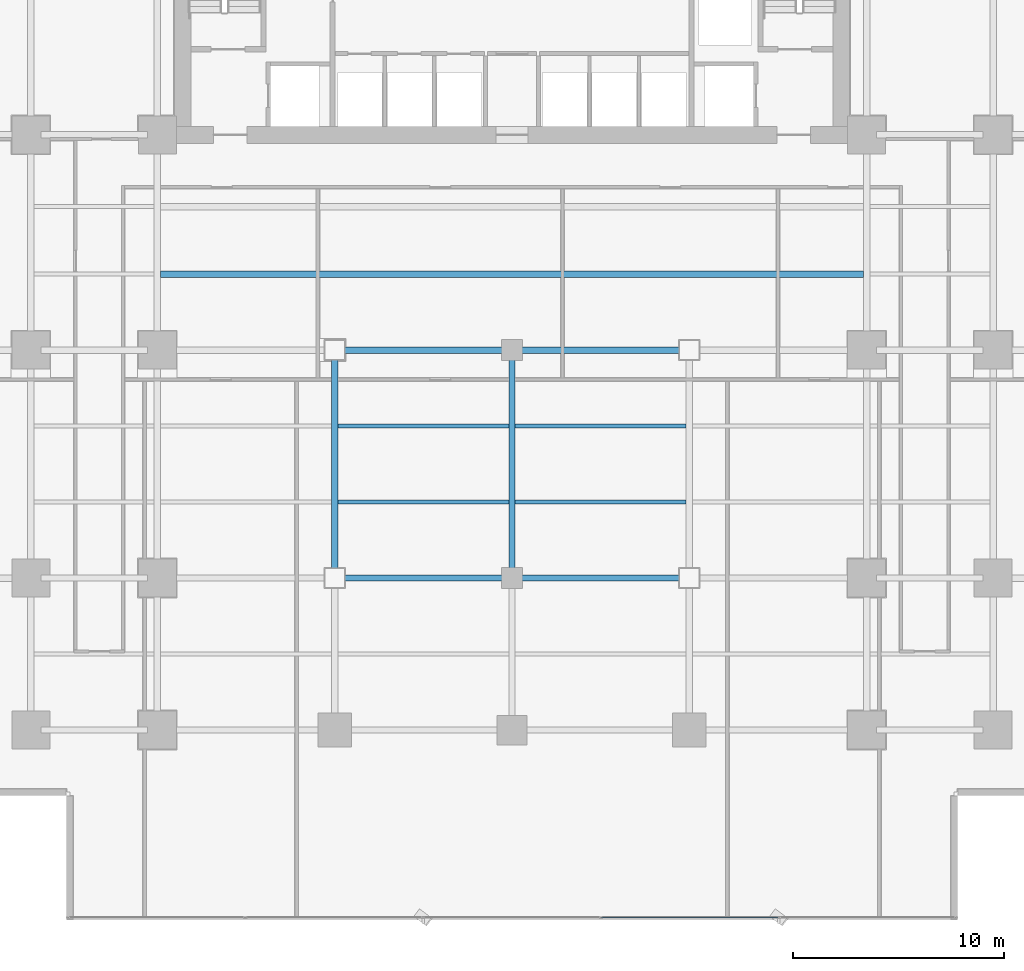
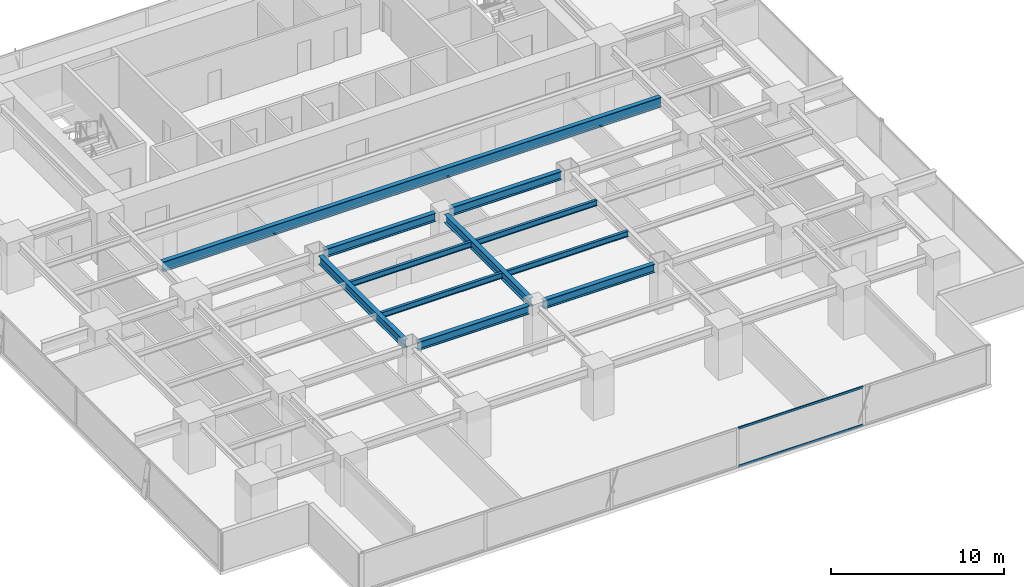
# One storey, part 10 of 32: 11 beams, 2 members, 1 element without a shape of its own.
"""IFC4 building model written with IfcOpenShell, lengths in metres."""

from ifc_helpers import new_model, si_unit, direction, frame, origin, origin_2d, place, context, subcontext, project, spatial, hollow_rectangle, i_section, extrude, source, transform, mapped, material, layer, layer_set, material_profile, profile_set, type_object, element, aggregate, save


model = new_model("IFC4")

# Units and contexts
model_context = context("Model", 3, precision=1e-05, world=origin(), true_north=direction((0.0, 1.0)))
body_context = subcontext(model_context, "Body", "Model", "MODEL_VIEW")
ifc_project = project(units=[si_unit("LENGTHUNIT", "METRE"), si_unit("AREAUNIT", "SQUARE_METRE"), si_unit("VOLUMEUNIT", "CUBIC_METRE"), si_unit("PLANEANGLEUNIT", "RADIAN"), si_unit("MASSUNIT", "GRAM", prefix="KILO")], contexts=[model_context])

# Site, building, storey
site_placement = place(None, origin())
site = spatial("IfcSite", under=ifc_project, at=site_placement, CompositionType="ELEMENT")
building_placement = place(site_placement, origin())
building = spatial("IfcBuilding", under=site, at=building_placement, Name="Sumidabori Civic Tower", CompositionType="ELEMENT")
storey_placement = place(building_placement, frame((0.0, 0.0, 48.800048828125)))
storey = spatial("IfcBuildingStorey", under=building, at=storey_placement, Name="L12", CompositionType="ELEMENT", Elevation=48.800048828125)

# Beams
ifc_material_1 = material(Name="Steel SN490", Category="steel")
ifc_material_profile_1 = material_profile(ifc_material_1, i_section(OverallWidth=0.300048828125, OverallDepth=0.60009765625, WebThickness=0.015380859375, FlangeThickness=0.030029296875, at=origin_2d()), Name="HE 600 B")
ifc_profile_set_1 = profile_set([ifc_material_profile_1], Name="Steel SN490")
beam_type_1 = type_object("IfcBeamType", Name="BM-GIRD-600", PredefinedType="BEAM", material=ifc_profile_set_1)
shared_shape_1 = source(origin(), body_context, "Body", "SweptSolid", [
    extrude(i_section(OverallWidth=0.300048828125, OverallDepth=0.60009765625, WebThickness=0.015380859375, FlangeThickness=0.030029296875, at=origin_2d()), origin(), (0.0, 0.0, 1.0), 7.43994140625),
])
for number, where, z_axis, x_axis, name in (
    (1, (-7.919921875, -10.800048828125, 3.06005859375), (1.0, 0.0, 0.0), (0.0, 1.0, 0.0), "Primary Girder L12 GX-09"),
    (2, (0.47998046875, -10.800048828125, 3.06005859375), (1.0, 0.0, 0.0), (0.0, 1.0, 0.0), "Primary Girder L12 GX-10"),
    (3, (-7.919921875, 0.0, 3.06005859375), (1.0, 0.0, 0.0), (0.0, 1.0, 0.0), "Primary Girder L12 GX-15"),
    (4, (0.47998046875, 0.0, 3.06005859375), (1.0, 0.0, 0.0), (0.0, 1.0, 0.0), "Primary Girder L12 GX-16"),
):
    element("IfcBeam", number, at=place(storey_placement, frame(where, z_axis=z_axis, x_axis=x_axis)), inside=storey, type_object=beam_type_1, Name=name, PredefinedType="BEAM", context=body_context, shape_type="MappedRepresentation", body=[
        mapped(shared_shape_1, transform((0.0, 0.0, 0.0), x_axis=(1.0, 0.0, 0.0), y_axis=(0.0, 1.0, 0.0), z_axis=(0.0, 0.0, 1.0), scale=1.0)),
    ])
shared_shape_2 = source(origin(), body_context, "Body", "SweptSolid", [
    extrude(i_section(OverallWidth=0.300048828125, OverallDepth=0.60009765625, WebThickness=0.015380859375, FlangeThickness=0.030029296875, at=origin_2d()), origin(), (0.0, 0.0, 1.0), 9.840087890625),
])
for number, where, z_axis, x_axis, name in (
    (5, (-8.39990234375, -10.320068359375, 3.06005859375), (0.0, 1.0, 0.0), (-1.0, 0.0, 0.0), "Primary Girder L12 GY-30"),
    (6, (0.0, -10.320068359375, 3.06005859375), (0.0, 1.0, 0.0), (-1.0, 0.0, 0.0), "Primary Girder L12 GY-32"),
):
    element("IfcBeam", number, at=place(storey_placement, frame(where, z_axis=z_axis, x_axis=x_axis)), inside=storey, type_object=beam_type_1, Name=name, PredefinedType="BEAM", context=body_context, shape_type="MappedRepresentation", body=[
        mapped(shared_shape_2, transform((0.0, 0.0, 0.0), x_axis=(1.0, 0.0, 0.0), y_axis=(0.0, 1.0, 0.0), z_axis=(0.0, 0.0, 1.0), scale=1.0)),
    ])
ifc_material_profile_2 = material_profile(ifc_material_1, i_section(OverallWidth=0.300048828125, OverallDepth=0.699951171875, WebThickness=0.01708984375, FlangeThickness=0.031982421875, at=origin_2d()), Name="HE 700 B")
ifc_profile_set_2 = profile_set([ifc_material_profile_2], Name="Steel SN490")
beam_type_2 = type_object("IfcBeamType", Name="BM-GIRD-700", PredefinedType="BEAM", material=ifc_profile_set_2)
shared_shape_3 = source(origin(), body_context, "Body", "SweptSolid", [
    extrude(i_section(OverallWidth=0.300048828125, OverallDepth=0.699951171875, WebThickness=0.01708984375, FlangeThickness=0.031982421875, at=origin_2d()), origin(), (0.0, 0.0, 1.0), 33.2998046875),
])
beam_placement = place(storey_placement, frame((-16.64990234375, 3.60009765625, 3.010009765625), z_axis=(1.0, 0.0, 0.0), x_axis=(0.0, 1.0, 0.0)))
element("IfcBeam", 7, at=beam_placement, inside=storey, type_object=beam_type_2, Name="North Bay Floor Beam L12 JSTN-59", PredefinedType="BEAM", context=body_context, shape_type="MappedRepresentation", body=[
    mapped(shared_shape_3, transform((0.0, 0.0, 0.0), x_axis=(1.0, 0.0, 0.0), y_axis=(0.0, 1.0, 0.0), z_axis=(0.0, 0.0, 1.0), scale=1.0)),
])
ifc_material_profile_3 = material_profile(ifc_material_1, i_section(OverallWidth=0.179931640625, OverallDepth=0.39990234375, WebThickness=0.008544921875, FlangeThickness=0.013427734375, at=origin_2d()), Name="IPE 400")
ifc_profile_set_3 = profile_set([ifc_material_profile_3], Name="Steel SN490")
beam_type_3 = type_object("IfcBeamType", Name="BM-JST-400", PredefinedType="JOIST", material=ifc_profile_set_3)
shared_shape_4 = source(origin(), body_context, "Body", "SweptSolid", [
    extrude(i_section(OverallWidth=0.179931640625, OverallDepth=0.39990234375, WebThickness=0.008544921875, FlangeThickness=0.013427734375, at=origin_2d()), origin(), (0.0, 0.0, 1.0), 8.10009765625),
])
for number, where, z_axis, x_axis, name in (
    (8, (-8.25, -7.199951171875, 3.159912109375), (1.0, 0.0, 0.0), (0.0, 1.0, 0.0), "South Bay Floor Joist L12 JSTS-66"),
    (9, (0.14990234375, -7.199951171875, 3.159912109375), (1.0, 0.0, 0.0), (0.0, 1.0, 0.0), "South Bay Floor Joist L12 JSTS-67"),
    (10, (-8.25, -3.60009765625, 3.159912109375), (1.0, 0.0, 0.0), (0.0, 1.0, 0.0), "South Bay Floor Joist L12 JSTS-70"),
    (11, (0.14990234375, -3.60009765625, 3.159912109375), (1.0, 0.0, 0.0), (0.0, 1.0, 0.0), "South Bay Floor Joist L12 JSTS-71"),
):
    element("IfcBeam", number, at=place(storey_placement, frame(where, z_axis=z_axis, x_axis=x_axis)), inside=storey, type_object=beam_type_3, Name=name, PredefinedType="JOIST", context=body_context, shape_type="MappedRepresentation", body=[
        mapped(shared_shape_4, transform((0.0, 0.0, 0.0), x_axis=(1.0, 0.0, 0.0), y_axis=(0.0, 1.0, 0.0), z_axis=(0.0, 0.0, 1.0), scale=1.0)),
    ])

# Curtain wall, members
ifc_material_2 = material(Name="Anodised Bronze Aluminium AW-6063-T6", Category="aluminium")
ifc_layer = layer(ifc_material_2, 0.179931640625, Name="Anodised Bronze Aluminium AW-6063-T6")
ifc_layer_set = layer_set([ifc_layer], Name="Anodised Bronze Aluminium AW-6063-T6")
curtain_wall_type = type_object("IfcCurtainWallType", Name="CW-SYS-2", PredefinedType="NOTDEFINED", material=ifc_layer_set)
curtain_wall_placement = place(storey_placement, origin())
curtain_wall = element("IfcCurtainWall", 12, at=curtain_wall_placement, inside=storey, type_object=curtain_wall_type, Name="Curtain Wall CW:L12:R01", PredefinedType="NOTDEFINED")
ifc_material_profile_4 = material_profile(ifc_material_2, hollow_rectangle(XDim=0.06494140625, YDim=0.14990234375, WallThickness=0.0048828125, at=origin_2d()), Name="ALU TRANSOM 150x65")
ifc_profile_set_4 = profile_set([ifc_material_profile_4], Name="Anodised Bronze Aluminium AW-6063-T6")
member_type = type_object("IfcMemberType", Name="CW-TRN-150", PredefinedType="USERDEFINED", material=ifc_profile_set_4)
shared_shape_5 = source(origin(), body_context, "Body", "SweptSolid", [
    extrude(hollow_rectangle(XDim=0.06494140625, YDim=0.14990234375, WallThickness=0.0048828125, at=origin_2d()), origin(), (0.0, 0.0, 1.0), 8.35791015625),
])
member_1_placement = place(storey_placement, frame((4.2490234375, -26.8798828125, 0.032470703125), z_axis=(1.0, 0.0, 0.0), x_axis=(0.0, 1.0, 0.0)))
member_1 = element("IfcMember", 13, at=member_1_placement, type_object=member_type, Name="CW-2 transom 4.1", ObjectType="TRANSOM", PredefinedType="USERDEFINED", context=body_context, shape_type="MappedRepresentation", body=[
    mapped(shared_shape_5, transform((0.0, 0.0, 0.0), x_axis=(1.0, 0.0, 0.0), y_axis=(0.0, 1.0, 0.0), z_axis=(0.0, 0.0, 1.0), scale=1.0)),
])
member_2_placement = place(storey_placement, frame((4.2490234375, -26.8798828125, 2.70751953125), z_axis=(1.0, 0.0, 0.0), x_axis=(0.0, 1.0, 0.0)))
member_2 = element("IfcMember", 14, at=member_2_placement, type_object=member_type, Name="CW-2 transom 4.2", ObjectType="TRANSOM", PredefinedType="USERDEFINED", context=body_context, shape_type="MappedRepresentation", body=[
    mapped(shared_shape_5, transform((0.0, 0.0, 0.0), x_axis=(1.0, 0.0, 0.0), y_axis=(0.0, 1.0, 0.0), z_axis=(0.0, 0.0, 1.0), scale=1.0)),
])
aggregate(curtain_wall, [member_1, member_2])

save(model, "model.ifc")
